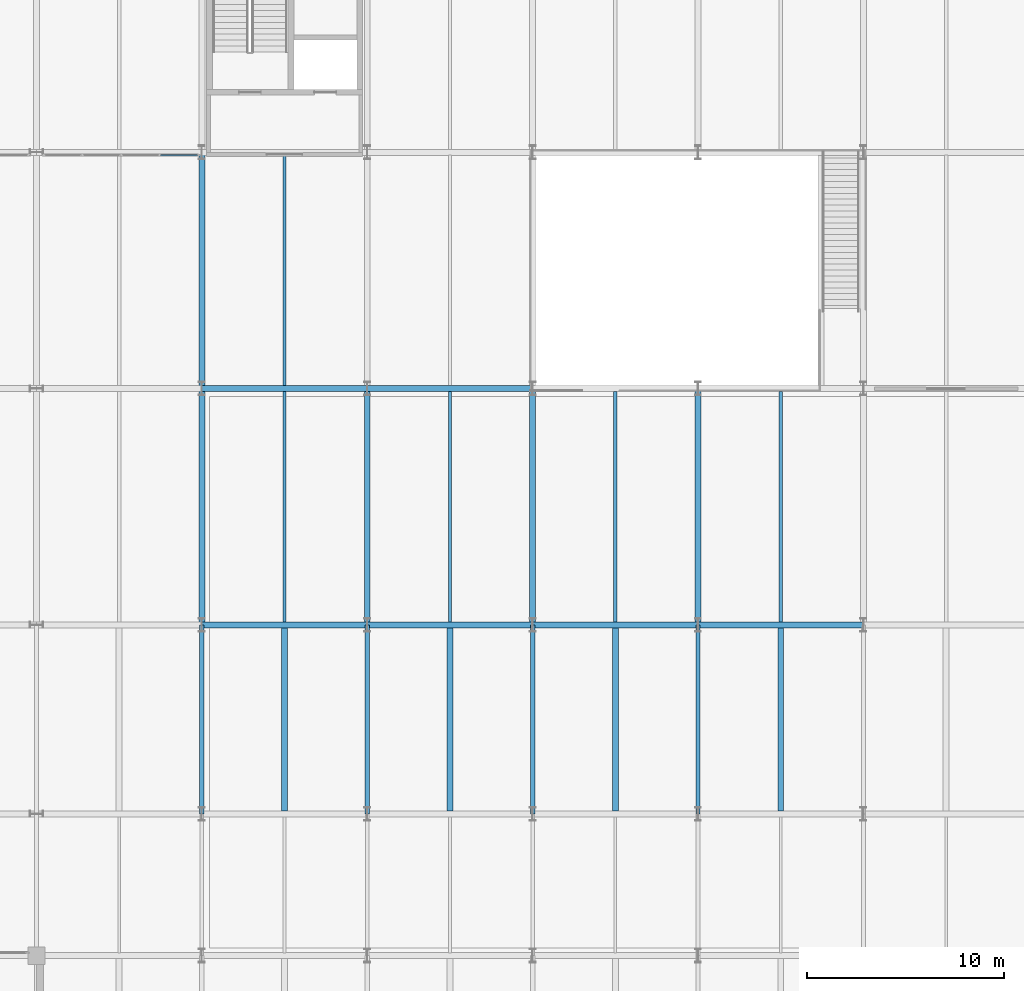
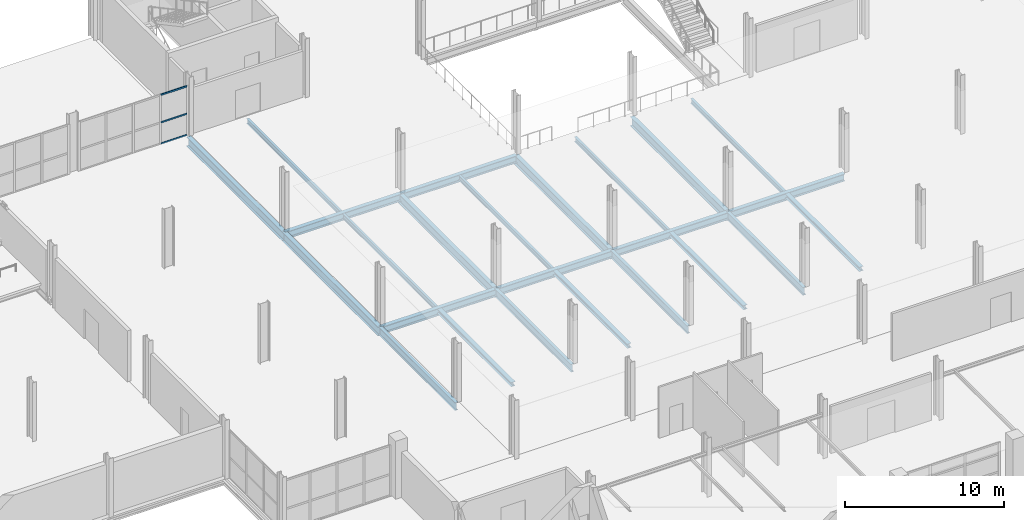
# One storey, part 23 of 113: 24 beams, 3 members, 1 element without a shape of its own.
"""IFC4 building model written with IfcOpenShell, lengths in metres."""

from ifc_helpers import new_model, si_unit, direction, frame, origin, origin_2d, place, context, subcontext, project, spatial, hollow_rectangle, i_section, extrude, material, material_profile, profile_set, type_object, element, aggregate, save


model = new_model("IFC4")

# Units and contexts
model_context = context("Model", 3, precision=1e-05, world=origin(), true_north=direction((0.0, 1.0)))
body_context = subcontext(model_context, "Body", "Model", "MODEL_VIEW")
ifc_project = project(units=[si_unit("LENGTHUNIT", "METRE"), si_unit("AREAUNIT", "SQUARE_METRE"), si_unit("VOLUMEUNIT", "CUBIC_METRE"), si_unit("PLANEANGLEUNIT", "RADIAN"), si_unit("MASSUNIT", "GRAM", prefix="KILO")], contexts=[model_context])

# Site, building, storey
site_placement = place(None, origin())
site = spatial("IfcSite", under=ifc_project, at=site_placement, CompositionType="ELEMENT")
building_placement = place(site_placement, origin())
building = spatial("IfcBuilding", under=site, at=building_placement, Name="Veltarok Museum of Natural Sciences", CompositionType="ELEMENT")
storey_placement = place(building_placement, frame((0.0, 0.0, 8.39990234375)))
storey = spatial("IfcBuildingStorey", under=building, at=storey_placement, Name="L01", CompositionType="ELEMENT", Elevation=8.39990234375)

# Curtain wall, members
ifc_material_1 = material(Name="Low-iron triple insulated glass", Category="glass")
curtain_wall_type = type_object("IfcCurtainWallType", Name="Curtain Wall System CW-PASN1-L01-2-790x378 (CW-PASN1 L01 790x378cm)", PredefinedType="NOTDEFINED", material=ifc_material_1)
curtain_wall_placement = place(storey_placement, origin())
curtain_wall = element("IfcCurtainWall", 1, at=curtain_wall_placement, inside=storey, type_object=curtain_wall_type, Name="Curtain Wall CW-PASN1-L01-2-790x378 CW-0210", PredefinedType="NOTDEFINED")
ifc_material_2 = material(Name="Thermally broken anodised aluminium", Category="aluminium")
ifc_material_profile_1 = material_profile(ifc_material_2, hollow_rectangle(XDim=0.06005859375, YDim=0.1201171875, WallThickness=0.0048828125, at=origin_2d()), Name="CW TRANSOM 60x120x5")
ifc_profile_set_1 = profile_set([ifc_material_profile_1], Name="Thermally broken anodised aluminium")
member_type = type_object("IfcMemberType", Name="Curtain Wall Horizontal Transom 60x120x5", PredefinedType="USERDEFINED", material=ifc_profile_set_1)
member_1_placement = place(storey_placement, frame((39.7900390625, 59.85009765625, 0.028076171875), z_axis=(-1.0, 0.0, 0.0), x_axis=(0.0, -1.0, 0.0)))
member_1 = element("IfcMember", 2, at=member_1_placement, type_object=member_type, Name="CW-PASN1-L01-2-790x378 transom 1.1", ObjectType="TRANSOM", PredefinedType="USERDEFINED", context=body_context, shape_type="SweptSolid", body=[
    extrude(hollow_rectangle(XDim=0.06005859375, YDim=0.1201171875, WallThickness=0.0048828125, at=origin_2d()), origin(), (0.0, 0.0, 1.0), 1.885009765625),
])
member_2_placement = place(storey_placement, frame((39.7900390625, 59.85009765625, 1.648193359375), z_axis=(-1.0, 0.0, 0.0), x_axis=(0.0, -1.0, 0.0)))
member_2 = element("IfcMember", 3, at=member_2_placement, type_object=member_type, Name="CW-PASN1-L01-2-790x378 transom 1.2", ObjectType="TRANSOM", PredefinedType="USERDEFINED", context=body_context, shape_type="SweptSolid", body=[
    extrude(hollow_rectangle(XDim=0.06005859375, YDim=0.1201171875, WallThickness=0.0048828125, at=origin_2d()), origin(), (0.0, 0.0, 1.0), 1.885009765625),
])
member_3_placement = place(storey_placement, frame((39.7900390625, 59.85009765625, 3.75), z_axis=(-1.0, 0.0, 0.0), x_axis=(0.0, -1.0, 0.0)))
member_3 = element("IfcMember", 4, at=member_3_placement, type_object=member_type, Name="CW-PASN1-L01-2-790x378 transom 1.3", ObjectType="TRANSOM", PredefinedType="USERDEFINED", context=body_context, shape_type="SweptSolid", body=[
    extrude(hollow_rectangle(XDim=0.06005859375, YDim=0.1201171875, WallThickness=0.0048828125, at=origin_2d()), origin(), (0.0, 0.0, 1.0), 1.885009765625),
])
aggregate(curtain_wall, [member_1, member_2, member_3])

# Beams
ifc_material_3 = material(Name="Steel S355J2", Category="steel")
ifc_material_profile_2 = material_profile(ifc_material_3, i_section(OverallWidth=0.300048828125, OverallDepth=0.330078125, WebThickness=0.009521484375, FlangeThickness=0.0166015625, FilletRadius=0.027099609375, at=origin_2d()), Name="HEA 340")
ifc_profile_set_2 = profile_set([ifc_material_profile_2], Name="Steel S355J2")
beam_type_1 = type_object("IfcBeamType", Name="Exhibition Floor Joist HEA 340", PredefinedType="JOIST", material=ifc_profile_set_2)
for number, where, z_axis, x_axis, name in (
    (5, (44.199951171875, 26.548095703125, -0.414794921875), (0.0, 1.0, 0.0), (-1.0, 0.0, 0.0), "Secondary Joist BM-J08 L01 5-6/D-E.1"),
    (6, (52.60009765625, 26.548095703125, -0.414794921875), (0.0, 1.0, 0.0), (-1.0, 0.0, 0.0), "Secondary Joist BM-J08 L01 6-7/D-E.1"),
    (7, (61.0, 26.548095703125, -0.414794921875), (0.0, 1.0, 0.0), (-1.0, 0.0, 0.0), "Secondary Joist BM-J08 L01 7-8/D-E.1"),
    (8, (69.39990234375, 26.548095703125, -0.414794921875), (0.0, 1.0, 0.0), (-1.0, 0.0, 0.0), "Secondary Joist BM-J08 L01 8-9/D-E.1"),
):
    element("IfcBeam", number, at=place(storey_placement, frame(where, z_axis=z_axis, x_axis=x_axis)), inside=storey, type_object=beam_type_1, Name=name, PredefinedType="JOIST", context=body_context, shape_type="SweptSolid", body=[
        extrude(i_section(OverallWidth=0.300048828125, OverallDepth=0.330078125, WebThickness=0.009521484375, FlangeThickness=0.0166015625, FilletRadius=0.027099609375, at=origin_2d()), origin(), (0.0, 0.0, 1.0), 9.303955078125),
    ])
ifc_material_profile_3 = material_profile(ifc_material_3, i_section(OverallWidth=0.300048828125, OverallDepth=0.550048828125, WebThickness=0.014892578125, FlangeThickness=0.029052734375, FilletRadius=0.027099609375, at=origin_2d()), Name="HEB 550")
ifc_profile_set_3 = profile_set([ifc_material_profile_3], Name="Steel S355J2")
beam_type_2 = type_object("IfcBeamType", Name="Gallery Girder HEB 550", PredefinedType="BEAM", material=ifc_profile_set_3)
beam_1_placement = place(storey_placement, frame((40.0, 36.0, -0.52490234375), z_axis=(1.0, 0.0, 0.0), x_axis=(0.0, 1.0, 0.0)))
element("IfcBeam", 9, at=beam_1_placement, inside=storey, type_object=beam_type_2, Name="Beam BM-G10 L01 5-6/E", PredefinedType="BEAM", context=body_context, shape_type="SweptSolid", body=[
    extrude(i_section(OverallWidth=0.300048828125, OverallDepth=0.550048828125, WebThickness=0.014892578125, FlangeThickness=0.029052734375, FilletRadius=0.027099609375, at=origin_2d()), origin(), (0.0, 0.0, 1.0), 8.39990234375),
])
beam_2_placement = place(storey_placement, frame((48.39990234375, 36.0, -0.52490234375), z_axis=(1.0, 0.0, 0.0), x_axis=(0.0, 1.0, 0.0)))
element("IfcBeam", 10, at=beam_2_placement, inside=storey, type_object=beam_type_2, Name="Beam BM-G10 L01 6-7/E", PredefinedType="BEAM", context=body_context, shape_type="SweptSolid", body=[
    extrude(i_section(OverallWidth=0.300048828125, OverallDepth=0.550048828125, WebThickness=0.014892578125, FlangeThickness=0.029052734375, FilletRadius=0.027099609375, at=origin_2d()), origin(), (0.0, 0.0, 1.0), 8.400146484375),
])
beam_3_placement = place(storey_placement, frame((56.800048828125, 36.0, -0.52490234375), z_axis=(1.0, 0.0, 0.0), x_axis=(0.0, 1.0, 0.0)))
element("IfcBeam", 11, at=beam_3_placement, inside=storey, type_object=beam_type_2, Name="Beam BM-G10 L01 7-8/E", PredefinedType="BEAM", context=body_context, shape_type="SweptSolid", body=[
    extrude(i_section(OverallWidth=0.300048828125, OverallDepth=0.550048828125, WebThickness=0.014892578125, FlangeThickness=0.029052734375, FilletRadius=0.027099609375, at=origin_2d()), origin(), (0.0, 0.0, 1.0), 8.39990234375),
])
beam_4_placement = place(storey_placement, frame((65.199951171875, 36.0, -0.52490234375), z_axis=(1.0, 0.0, 0.0), x_axis=(0.0, 1.0, 0.0)))
element("IfcBeam", 12, at=beam_4_placement, inside=storey, type_object=beam_type_2, Name="Beam BM-G10 L01 8-9/E", PredefinedType="BEAM", context=body_context, shape_type="SweptSolid", body=[
    extrude(i_section(OverallWidth=0.300048828125, OverallDepth=0.550048828125, WebThickness=0.014892578125, FlangeThickness=0.029052734375, FilletRadius=0.027099609375, at=origin_2d()), origin(), (0.0, 0.0, 1.0), 8.400146484375),
])
beam_5_placement = place(storey_placement, frame((40.0, 48.0, -0.52490234375), z_axis=(1.0, 0.0, 0.0), x_axis=(0.0, 1.0, 0.0)))
element("IfcBeam", 13, at=beam_5_placement, inside=storey, type_object=beam_type_2, Name="Beam BM-G10 L01 5-6/F", PredefinedType="BEAM", context=body_context, shape_type="SweptSolid", body=[
    extrude(i_section(OverallWidth=0.300048828125, OverallDepth=0.550048828125, WebThickness=0.014892578125, FlangeThickness=0.029052734375, FilletRadius=0.027099609375, at=origin_2d()), origin(), (0.0, 0.0, 1.0), 8.39990234375),
])
beam_6_placement = place(storey_placement, frame((48.39990234375, 48.0, -0.52490234375), z_axis=(1.0, 0.0, 0.0), x_axis=(0.0, 1.0, 0.0)))
element("IfcBeam", 14, at=beam_6_placement, inside=storey, type_object=beam_type_2, Name="Beam BM-G10 L01 6-7/F", PredefinedType="BEAM", context=body_context, shape_type="SweptSolid", body=[
    extrude(i_section(OverallWidth=0.300048828125, OverallDepth=0.550048828125, WebThickness=0.014892578125, FlangeThickness=0.029052734375, FilletRadius=0.027099609375, at=origin_2d()), origin(), (0.0, 0.0, 1.0), 8.400146484375),
])
ifc_material_profile_4 = material_profile(ifc_material_3, i_section(OverallWidth=0.169921875, OverallDepth=0.360107421875, WebThickness=0.008056640625, FlangeThickness=0.0126953125, FilletRadius=0.01806640625, at=origin_2d()), Name="IPE 360")
ifc_profile_set_4 = profile_set([ifc_material_profile_4], Name="Steel S355J2")
beam_type_3 = type_object("IfcBeamType", Name="Long-Bay Composite Joist IPE 360", PredefinedType="JOIST", material=ifc_profile_set_4)
for number, where, z_axis, x_axis, name in (
    (15, (44.199951171875, 36.14794921875, -0.429931640625), (0.0, 1.0, 0.0), (-1.0, 0.0, 0.0), "Secondary Joist BM-J01 L01 5-6/E-F.1"),
    (16, (44.199951171875, 48.14794921875, -0.429931640625), (0.0, 1.0, 0.0), (-1.0, 0.0, 0.0), "Secondary Joist BM-J01 L01 5-6/F-G.1"),
    (17, (52.60009765625, 36.14794921875, -0.429931640625), (0.0, 1.0, 0.0), (-1.0, 0.0, 0.0), "Secondary Joist BM-J01 L01 6-7/E-F.1"),
    (18, (61.0, 36.14794921875, -0.429931640625), (0.0, 1.0, 0.0), (-1.0, 0.0, 0.0), "Secondary Joist BM-J01 L01 7-8/E-F.1"),
    (19, (69.39990234375, 36.14794921875, -0.429931640625), (0.0, 1.0, 0.0), (-1.0, 0.0, 0.0), "Secondary Joist BM-J01 L01 8-9/E-F.1"),
):
    element("IfcBeam", number, at=place(storey_placement, frame(where, z_axis=z_axis, x_axis=x_axis)), inside=storey, type_object=beam_type_3, Name=name, PredefinedType="JOIST", context=body_context, shape_type="SweptSolid", body=[
        extrude(i_section(OverallWidth=0.169921875, OverallDepth=0.360107421875, WebThickness=0.008056640625, FlangeThickness=0.0126953125, FilletRadius=0.01806640625, at=origin_2d()), origin(), (0.0, 0.0, 1.0), 11.7041015625),
    ])
ifc_material_profile_5 = material_profile(ifc_material_3, i_section(OverallWidth=0.300048828125, OverallDepth=0.699951171875, WebThickness=0.01708984375, FlangeThickness=0.031982421875, FilletRadius=0.027099609375, at=origin_2d()), Name="HEB 700")
ifc_profile_set_5 = profile_set([ifc_material_profile_5], Name="Steel S355J2")
beam_type_4 = type_object("IfcBeamType", Name="Long-Span Hall Girder HEB 700", PredefinedType="BEAM", material=ifc_profile_set_5)
for number, where, z_axis, x_axis, name in (
    (20, (40.0, 36.0, -0.599853515625), (0.0, 1.0, 0.0), (-1.0, 0.0, 0.0), "Beam BM-G01 L01 5/E-F"),
    (21, (40.0, 48.0, -0.599853515625), (0.0, 1.0, 0.0), (-1.0, 0.0, 0.0), "Beam BM-G01 L01 5/F-G"),
    (22, (48.39990234375, 36.0, -0.599853515625), (0.0, 1.0, 0.0), (-1.0, 0.0, 0.0), "Beam BM-G01 L01 6/E-F"),
    (23, (56.800048828125, 36.0, -0.599853515625), (0.0, 1.0, 0.0), (-1.0, 0.0, 0.0), "Beam BM-G01 L01 7/E-F"),
    (24, (65.199951171875, 36.0, -0.599853515625), (0.0, 1.0, 0.0), (-1.0, 0.0, 0.0), "Beam BM-G01 L01 8/E-F"),
):
    element("IfcBeam", number, at=place(storey_placement, frame(where, z_axis=z_axis, x_axis=x_axis)), inside=storey, type_object=beam_type_4, Name=name, PredefinedType="BEAM", context=body_context, shape_type="SweptSolid", body=[
        extrude(i_section(OverallWidth=0.300048828125, OverallDepth=0.699951171875, WebThickness=0.01708984375, FlangeThickness=0.031982421875, FilletRadius=0.027099609375, at=origin_2d()), origin(), (0.0, 0.0, 1.0), 12.0),
    ])
ifc_material_profile_6 = material_profile(ifc_material_3, i_section(OverallWidth=0.219970703125, OverallDepth=0.60009765625, WebThickness=0.011962890625, FlangeThickness=0.01904296875, FilletRadius=0.02392578125, at=origin_2d()), Name="IPE 600")
ifc_profile_set_6 = profile_set([ifc_material_profile_6], Name="Steel S355J2")
beam_type_5 = type_object("IfcBeamType", Name="Primary Museum Girder IPE 600", PredefinedType="BEAM", material=ifc_profile_set_6)
for number, where, z_axis, x_axis, name in (
    (25, (40.0, 26.39990234375, -0.5498046875), (0.0, 1.0, 0.0), (-1.0, 0.0, 0.0), "Beam BM-G02 L01 5/D-E"),
    (26, (48.39990234375, 26.39990234375, -0.5498046875), (0.0, 1.0, 0.0), (-1.0, 0.0, 0.0), "Beam BM-G02 L01 6/D-E"),
    (27, (56.800048828125, 26.39990234375, -0.5498046875), (0.0, 1.0, 0.0), (-1.0, 0.0, 0.0), "Beam BM-G02 L01 7/D-E"),
    (28, (65.199951171875, 26.39990234375, -0.5498046875), (0.0, 1.0, 0.0), (-1.0, 0.0, 0.0), "Beam BM-G02 L01 8/D-E"),
):
    element("IfcBeam", number, at=place(storey_placement, frame(where, z_axis=z_axis, x_axis=x_axis)), inside=storey, type_object=beam_type_5, Name=name, PredefinedType="BEAM", context=body_context, shape_type="SweptSolid", body=[
        extrude(i_section(OverallWidth=0.219970703125, OverallDepth=0.60009765625, WebThickness=0.011962890625, FlangeThickness=0.01904296875, FilletRadius=0.02392578125, at=origin_2d()), origin(), (0.0, 0.0, 1.0), 9.60009765625),
    ])

save(model, "model.ifc")
